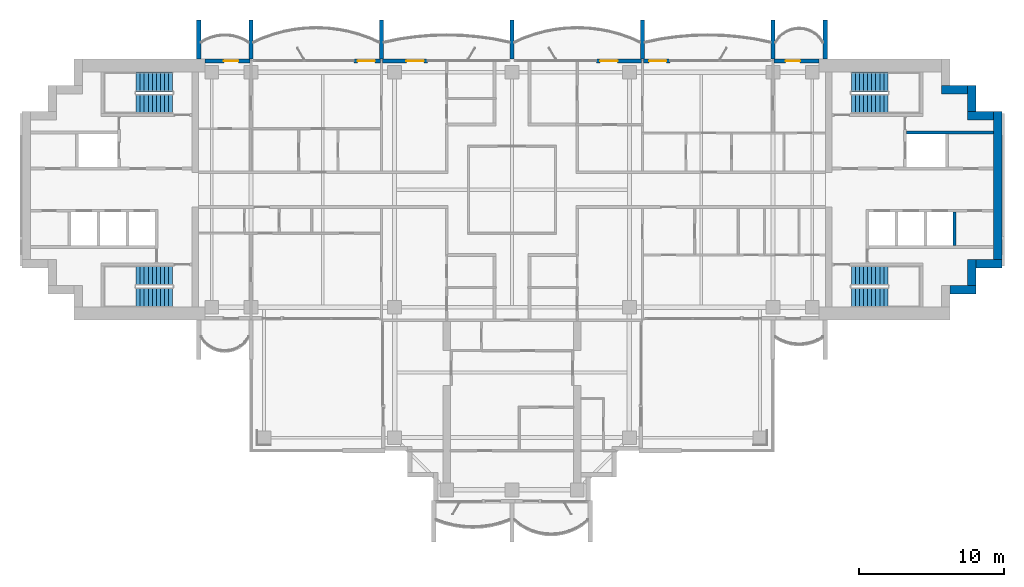
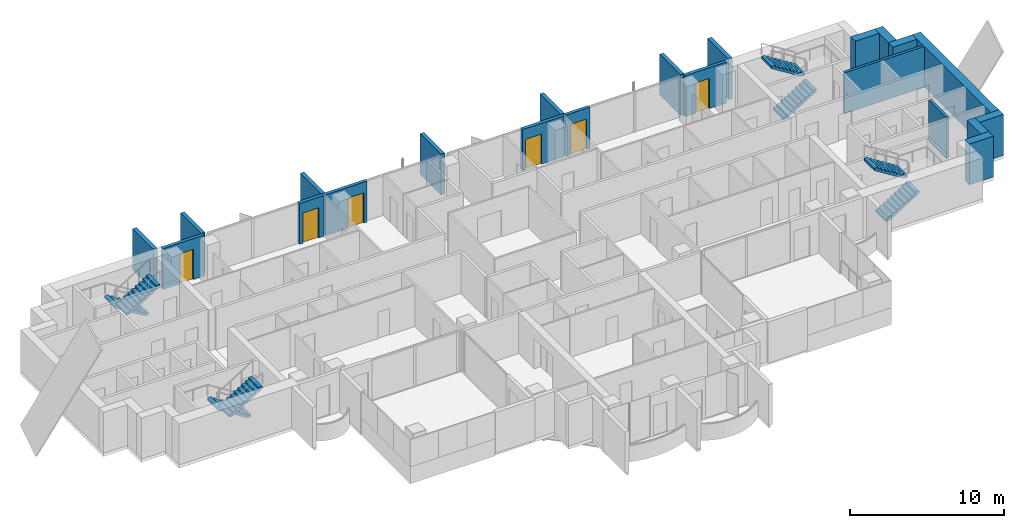
# One storey, part 13 of 17: 22 walls, 8 stair flights, 6 doors, 6 openings, 4 elements without a shape of their own.
"""IFC4 building model written with IfcOpenShell, lengths in metres."""

from ifc_helpers import new_model, si_unit, direction, frame, frame_2d, origin, place, context, subcontext, project, spatial, polyline, rectangle, outline, extrude, material, layer, layer_set, type_object, element, fill, aggregate, save


model = new_model("IFC4")

# Units and contexts
model_context = context("Model", 3, precision=1e-05, world=origin(), true_north=direction((0.0, 1.0)))
body_context = subcontext(model_context, "Body", "Model", "MODEL_VIEW")
ifc_project = project(units=[si_unit("LENGTHUNIT", "METRE"), si_unit("AREAUNIT", "SQUARE_METRE"), si_unit("VOLUMEUNIT", "CUBIC_METRE"), si_unit("PLANEANGLEUNIT", "RADIAN"), si_unit("MASSUNIT", "GRAM", prefix="KILO")], contexts=[model_context])

# Site, building, storey
site_placement = place(None, origin())
site = spatial("IfcSite", under=ifc_project, at=site_placement, CompositionType="ELEMENT")
building_placement = place(site_placement, origin())
building = spatial("IfcBuilding", under=site, at=building_placement, Name="Perihelion Cross Residences", CompositionType="ELEMENT")
storey_placement = place(building_placement, frame((0.0, 0.0, 180.60009765625)))
storey = spatial("IfcBuildingStorey", under=building, at=storey_placement, Name="L44", CompositionType="ELEMENT", Elevation=180.60009765625)

# Wall, opening, door
ifc_material_1 = material(Name="Concrete C30/37, bronze-clad", Category="concrete")
ifc_layer_1 = layer(ifc_material_1, 0.25)
ifc_layer_set_1 = layer_set([ifc_layer_1], Name="Bronze-clad pier wall 250")
wall_type_1 = type_object("IfcWallType", Name="Bronze-clad pier wall 250", PredefinedType="SOLIDWALL", material=ifc_layer_set_1)
wall_1_placement = place(storey_placement, frame((21.175048828125, 8.875, 0.0), z_axis=(0.0, 0.0, 1.0), x_axis=(-1.0, 0.0, 0.0)))
wall_1 = element("IfcWall", 1, at=wall_1_placement, inside=storey, type_object=wall_type_1, Name="Wall FW1 L44 east side north bay 1 pier", PredefinedType="SOLIDWALL", context=body_context, shape_type="SweptSolid", body=[
    extrude(rectangle(XDim=3.114990234375, YDim=0.25, at=frame_2d((1.5576171875, 0.0))), origin(), (0.0, 0.0, 1.0), 3.25),
])
opening_1_placement = place(wall_1_placement, frame((1.300048828125, 0.0, 0.0)))
opening_1 = element("IfcOpeningElement", 2, at=opening_1_placement, cuts=wall_1, Name="Opening L44.E01", PredefinedType="OPENING", context=body_context, shape_type="SweptSolid", body=[
    extrude(rectangle(XDim=1.0, YDim=2.39990234375, at=frame_2d((0.5, 1.199951171875))), frame((0.0, 0.135009765625, 0.0), z_axis=(0.0, -1.0, 0.0), x_axis=(1.0, 0.0, 0.0)), (0.0, 0.0, 1.0), 0.27001953125),
])
ifc_material_2 = material(Name="Bronze anodised aluminium, glazed", Category="aluminium")
door_type_1 = type_object("IfcDoorType", Name="Balcony door 1000 x 2400", OperationType="NOTDEFINED", PredefinedType="DOOR", material=ifc_material_2)
door_1_placement = place(opening_1_placement, origin())
door_1 = element("IfcDoor", 3, at=door_1_placement, inside=storey, type_object=door_type_1, Name="Door L44.E01 east side north bay 1", OperationType="SINGLE_SWING_LEFT", OverallHeight=2.39990234375, OverallWidth=1.0, PredefinedType="DOOR", context=body_context, shape_type="SweptSolid", body=[
    extrude(rectangle(XDim=1.0, YDim=2.39990234375, at=frame_2d((0.5, 1.199951171875))), frame((0.0, 0.02490234375, 0.0), z_axis=(0.0, -1.0, 0.0), x_axis=(1.0, 0.0, 0.0)), (0.0, 0.0, 1.0), 0.050048828125),
])
fill(opening_1, door_1)

wall_2_placement = place(storey_placement, frame((10.89990234375, 8.875, 0.0), z_axis=(0.0, 0.0, 1.0), x_axis=(-1.0, 0.0, 0.0)))
wall_2 = element("IfcWall", 4, at=wall_2_placement, inside=storey, type_object=wall_type_1, Name="Wall FW1 L44 east side north bay 2 pier", PredefinedType="SOLIDWALL", context=body_context, shape_type="SweptSolid", body=[
    extrude(rectangle(XDim=1.83984375, YDim=0.25, at=frame_2d((0.919921875, 0.0))), origin(), (0.0, 0.0, 1.0), 3.25),
])
opening_2_placement = place(wall_2_placement, frame((0.25, 0.0, 0.0)))
opening_2 = element("IfcOpeningElement", 5, at=opening_2_placement, cuts=wall_2, Name="Opening L44.E02", PredefinedType="OPENING", context=body_context, shape_type="SweptSolid", body=[
    extrude(rectangle(XDim=1.199951171875, YDim=2.39990234375, at=frame_2d((0.60009765625, 1.199951171875))), frame((0.0, 0.135009765625, 0.0), z_axis=(0.0, -1.0, 0.0), x_axis=(1.0, 0.0, 0.0)), (0.0, 0.0, 1.0), 0.27001953125),
])
ifc_material_3 = material(Name="Bronze anodised aluminium, glazed", Category="aluminium")
door_type_2 = type_object("IfcDoorType", Name="Balcony door 1200 x 2400", OperationType="NOTDEFINED", PredefinedType="DOOR", material=ifc_material_3)
door_2_placement = place(opening_2_placement, origin())
door_2 = element("IfcDoor", 6, at=door_2_placement, inside=storey, type_object=door_type_2, Name="Door L44.E02 east side north bay 2", OperationType="SINGLE_SWING_RIGHT", OverallHeight=2.39990234375, OverallWidth=1.199951171875, PredefinedType="DOOR", context=body_context, shape_type="SweptSolid", body=[
    extrude(rectangle(XDim=1.199951171875, YDim=2.39990234375, at=frame_2d((0.60009765625, 1.199951171875))), frame((0.0, 0.02490234375, 0.0), z_axis=(0.0, -1.0, 0.0), x_axis=(1.0, 0.0, 0.0)), (0.0, 0.0, 1.0), 0.050048828125),
])
fill(opening_2, door_2)

wall_3_placement = place(storey_placement, frame((8.93994140625, 8.875, 0.0), z_axis=(0.0, 0.0, 1.0), x_axis=(-1.0, 0.0, 0.0)))
wall_3 = element("IfcWall", 7, at=wall_3_placement, inside=storey, type_object=wall_type_1, Name="Wall FW1 L44 north side east bay 1 pier", PredefinedType="SOLIDWALL", context=body_context, shape_type="SweptSolid", body=[
    extrude(rectangle(XDim=3.114990234375, YDim=0.25, at=frame_2d((1.5576171875, 0.0))), origin(), (0.0, 0.0, 1.0), 3.25),
])
opening_3_placement = place(wall_3_placement, frame((1.6650390625, 0.0, 0.0)))
opening_3 = element("IfcOpeningElement", 8, at=opening_3_placement, cuts=wall_3, Name="Opening L44.E03", PredefinedType="OPENING", context=body_context, shape_type="SweptSolid", body=[
    extrude(rectangle(XDim=1.199951171875, YDim=2.39990234375, at=frame_2d((0.60009765625, 1.199951171875))), frame((0.0, 0.135009765625, 0.0), z_axis=(0.0, -1.0, 0.0), x_axis=(1.0, 0.0, 0.0)), (0.0, 0.0, 1.0), 0.27001953125),
])
door_3_placement = place(opening_3_placement, origin())
door_3 = element("IfcDoor", 9, at=door_3_placement, inside=storey, type_object=door_type_2, Name="Door L44.E03 north side east bay 1", OperationType="SINGLE_SWING_LEFT", OverallHeight=2.39990234375, OverallWidth=1.199951171875, PredefinedType="DOOR", context=body_context, shape_type="SweptSolid", body=[
    extrude(rectangle(XDim=1.199951171875, YDim=2.39990234375, at=frame_2d((0.60009765625, 1.199951171875))), frame((0.0, 0.02490234375, 0.0), z_axis=(0.0, -1.0, 0.0), x_axis=(1.0, 0.0, 0.0)), (0.0, 0.0, 1.0), 0.050048828125),
])
fill(opening_3, door_3)

wall_4_placement = place(storey_placement, frame((-5.824951171875, 8.875, 0.0), z_axis=(0.0, 0.0, 1.0), x_axis=(-1.0, 0.0, 0.0)))
wall_4 = element("IfcWall", 10, at=wall_4_placement, inside=storey, type_object=wall_type_1, Name="Wall FW1 L44 north side east bay 2 pier", PredefinedType="SOLIDWALL", context=body_context, shape_type="SweptSolid", body=[
    extrude(rectangle(XDim=3.114990234375, YDim=0.25, at=frame_2d((1.5576171875, 0.0))), origin(), (0.0, 0.0, 1.0), 3.25),
])
opening_4_placement = place(wall_4_placement, frame((0.25, 0.0, 0.0)))
opening_4 = element("IfcOpeningElement", 11, at=opening_4_placement, cuts=wall_4, Name="Opening L44.E04", PredefinedType="OPENING", context=body_context, shape_type="SweptSolid", body=[
    extrude(rectangle(XDim=1.199951171875, YDim=2.39990234375, at=frame_2d((0.60009765625, 1.199951171875))), frame((0.0, 0.135009765625, 0.0), z_axis=(0.0, -1.0, 0.0), x_axis=(1.0, 0.0, 0.0)), (0.0, 0.0, 1.0), 0.27001953125),
])
door_4_placement = place(opening_4_placement, origin())
door_4 = element("IfcDoor", 12, at=door_4_placement, inside=storey, type_object=door_type_2, Name="Door L44.E04 north side east bay 2", OperationType="SINGLE_SWING_RIGHT", OverallHeight=2.39990234375, OverallWidth=1.199951171875, PredefinedType="DOOR", context=body_context, shape_type="SweptSolid", body=[
    extrude(rectangle(XDim=1.199951171875, YDim=2.39990234375, at=frame_2d((0.60009765625, 1.199951171875))), frame((0.0, 0.02490234375, 0.0), z_axis=(0.0, -1.0, 0.0), x_axis=(1.0, 0.0, 0.0)), (0.0, 0.0, 1.0), 0.050048828125),
])
fill(opening_4, door_4)

wall_5_placement = place(storey_placement, frame((-9.06005859375, 8.875, 0.0), z_axis=(0.0, 0.0, 1.0), x_axis=(-1.0, 0.0, 0.0)))
wall_5 = element("IfcWall", 13, at=wall_5_placement, inside=storey, type_object=wall_type_1, Name="Wall FW1 L44 west side north bay 1 pier", PredefinedType="SOLIDWALL", context=body_context, shape_type="SweptSolid", body=[
    extrude(rectangle(XDim=1.83984375, YDim=0.25, at=frame_2d((0.919921875, 0.0))), origin(), (0.0, 0.0, 1.0), 3.25),
])
opening_5_placement = place(wall_5_placement, frame((0.389892578125, 0.0, 0.0)))
opening_5 = element("IfcOpeningElement", 14, at=opening_5_placement, cuts=wall_5, Name="Opening L44.E05", PredefinedType="OPENING", context=body_context, shape_type="SweptSolid", body=[
    extrude(rectangle(XDim=1.199951171875, YDim=2.39990234375, at=frame_2d((0.60009765625, 1.199951171875))), frame((0.0, 0.135009765625, 0.0), z_axis=(0.0, -1.0, 0.0), x_axis=(1.0, 0.0, 0.0)), (0.0, 0.0, 1.0), 0.27001953125),
])
door_5_placement = place(opening_5_placement, origin())
door_5 = element("IfcDoor", 15, at=door_5_placement, inside=storey, type_object=door_type_2, Name="Door L44.E05 west side north bay 1", OperationType="SINGLE_SWING_LEFT", OverallHeight=2.39990234375, OverallWidth=1.199951171875, PredefinedType="DOOR", context=body_context, shape_type="SweptSolid", body=[
    extrude(rectangle(XDim=1.199951171875, YDim=2.39990234375, at=frame_2d((0.60009765625, 1.199951171875))), frame((0.0, 0.02490234375, 0.0), z_axis=(0.0, -1.0, 0.0), x_axis=(1.0, 0.0, 0.0)), (0.0, 0.0, 1.0), 0.050048828125),
])
fill(opening_5, door_5)

wall_6_placement = place(storey_placement, frame((-18.06005859375, 8.875, 0.0), z_axis=(0.0, 0.0, 1.0), x_axis=(-1.0, 0.0, 0.0)))
wall_6 = element("IfcWall", 16, at=wall_6_placement, inside=storey, type_object=wall_type_1, Name="Wall FW1 L44 west side north bay 2 pier", PredefinedType="SOLIDWALL", context=body_context, shape_type="SweptSolid", body=[
    extrude(rectangle(XDim=3.114990234375, YDim=0.25, at=frame_2d((1.5576171875, 0.0))), origin(), (0.0, 0.0, 1.0), 3.25),
])
opening_6_placement = place(wall_6_placement, frame((0.81494140625, 0.0, 0.0)))
opening_6 = element("IfcOpeningElement", 17, at=opening_6_placement, cuts=wall_6, Name="Opening L44.E06", PredefinedType="OPENING", context=body_context, shape_type="SweptSolid", body=[
    extrude(rectangle(XDim=1.0, YDim=2.39990234375, at=frame_2d((0.5, 1.199951171875))), frame((0.0, 0.135009765625, 0.0), z_axis=(0.0, -1.0, 0.0), x_axis=(1.0, 0.0, 0.0)), (0.0, 0.0, 1.0), 0.27001953125),
])
door_6_placement = place(opening_6_placement, origin())
door_6 = element("IfcDoor", 18, at=door_6_placement, inside=storey, type_object=door_type_1, Name="Door L44.E06 west side north bay 2", OperationType="SINGLE_SWING_RIGHT", OverallHeight=2.39990234375, OverallWidth=1.0, PredefinedType="DOOR", context=body_context, shape_type="SweptSolid", body=[
    extrude(rectangle(XDim=1.0, YDim=2.39990234375, at=frame_2d((0.5, 1.199951171875))), frame((0.0, 0.02490234375, 0.0), z_axis=(0.0, -1.0, 0.0), x_axis=(1.0, 0.0, 0.0)), (0.0, 0.0, 1.0), 0.050048828125),
])
fill(opening_6, door_6)

# Walls
ifc_material_4 = material(Name="Concrete C60/75", Category="concrete")
ifc_layer_2 = layer(ifc_material_4, 0.60009765625)
ifc_layer_set_2 = layer_set([ifc_layer_2], Name="Core wall, outer 600")
wall_type_2 = type_object("IfcWallType", Name="Core wall, outer 600", PredefinedType="SHEAR", material=ifc_layer_set_2)
for number, where, z_axis, x_axis, name in (
    (19, (30.199951171875, -6.89990234375, 0.0), (0.0, 0.0, 1.0), (1.0, 0.0, 0.0), "East core core wall, outer"),
    (20, (31.699951171875, -6.60009765625, 0.0), (0.0, 0.0, 1.0), (0.0, 1.0, 0.0), "East core core wall, outer"),
    (21, (32.0, -5.10009765625, 0.0), (0.0, 0.0, 1.0), (1.0, 0.0, 0.0), "East core core wall, outer"),
):
    element("IfcWall", number, at=place(storey_placement, frame(where, z_axis=z_axis, x_axis=x_axis)), inside=storey, type_object=wall_type_2, Name=name, PredefinedType="SHEAR", context=body_context, shape_type="SweptSolid", body=[
        extrude(rectangle(XDim=1.800048828125, YDim=0.60009765625, at=frame_2d((0.89990234375, 0.0))), origin(), (0.0, 0.0, 1.0), 3.25),
    ])
wall_7_placement = place(storey_placement, frame((33.5, -4.800048828125, 0.0), z_axis=(0.0, 0.0, 1.0), x_axis=(0.0, 1.0, 0.0)))
element("IfcWall", 22, at=wall_7_placement, inside=storey, type_object=wall_type_2, Name="East core core wall, outer", PredefinedType="SHEAR", context=body_context, shape_type="SweptSolid", body=[
    extrude(rectangle(XDim=10.199951171875, YDim=0.60009765625, at=frame_2d((5.10009765625, 0.0))), origin(), (0.0, 0.0, 1.0), 3.25),
])
for number, where, z_axis, x_axis, name in (
    (23, (31.39990234375, 5.10009765625, 0.0), (0.0, 0.0, 1.0), (1.0, 0.0, 0.0), "East core core wall, outer"),
    (24, (31.699951171875, 5.39990234375, 0.0), (0.0, 0.0, 1.0), (0.0, 1.0, 0.0), "East core core wall, outer"),
):
    element("IfcWall", number, at=place(storey_placement, frame(where, z_axis=z_axis, x_axis=x_axis)), inside=storey, type_object=wall_type_2, Name=name, PredefinedType="SHEAR", context=body_context, shape_type="SweptSolid", body=[
        extrude(rectangle(XDim=1.800048828125, YDim=0.60009765625, at=frame_2d((0.89990234375, 0.0))), origin(), (0.0, 0.0, 1.0), 3.25),
    ])
wall_8_placement = place(storey_placement, frame((29.60009765625, 6.89990234375, 0.0), z_axis=(0.0, 0.0, 1.0), x_axis=(1.0, 0.0, 0.0)))
element("IfcWall", 25, at=wall_8_placement, inside=storey, type_object=wall_type_2, Name="East core core wall, outer", PredefinedType="SHEAR", context=body_context, shape_type="SweptSolid", body=[
    extrude(rectangle(XDim=1.7998046875, YDim=0.60009765625, at=frame_2d((0.89990234375, 0.0))), origin(), (0.0, 0.0, 1.0), 3.25),
])
ifc_material_5 = material(Name="Precast concrete C50/60", Category="concrete")
ifc_layer_3 = layer(ifc_material_5, 0.300048828125)
ifc_layer_set_3 = layer_set([ifc_layer_3], Name="Precast concrete C50/60 blade wall 300")
wall_type_3 = type_object("IfcWallType", Name="Precast concrete C50/60 blade wall 300", PredefinedType="SOLIDWALL", material=ifc_layer_set_3)
for number, where, z_axis, x_axis, name in (
    (26, (-21.60009765625, 9.0, 0.0), (0.0, 0.0, 1.0), (0.0, 1.0, 0.0), "Wall BL1 L44 no. 4"),
    (27, (-18.0, 9.0, 0.0), (0.0, 0.0, 1.0), (0.0, 1.0, 0.0), "Wall BL1 L44 no. 2"),
    (28, (-9.0, 9.0, 0.0), (0.0, 0.0, 1.0), (0.0, 1.0, 0.0), "Wall BL1 L44 no. 7"),
    (29, (0.0, 9.0, 0.0), (0.0, 0.0, 1.0), (0.0, 1.0, 0.0), "Wall BL1 L44 no. 9"),
    (30, (9.0, 9.0, 0.0), (0.0, 0.0, 1.0), (0.0, 1.0, 0.0), "Wall BL1 L44 no. 16"),
    (31, (18.0, 9.0, 0.0), (0.0, 0.0, 1.0), (0.0, 1.0, 0.0), "Wall BL1 L44 no. 11"),
    (32, (21.60009765625, 9.0, 0.0), (0.0, 0.0, 1.0), (0.0, 1.0, 0.0), "Wall BL1 L44 no. 13"),
):
    element("IfcWall", number, at=place(storey_placement, frame(where, z_axis=z_axis, x_axis=x_axis)), inside=storey, type_object=wall_type_3, Name=name, PredefinedType="SOLIDWALL", context=body_context, shape_type="SweptSolid", body=[
        extrude(rectangle(XDim=2.699951171875, YDim=0.300048828125, at=frame_2d((1.35009765625, 0.0))), origin(), (0.0, 0.0, 1.0), 3.25),
    ])
ifc_material_6 = material(Name="Concrete C50/60", Category="concrete")
ifc_layer_4 = layer(ifc_material_6, 0.199951171875)
ifc_layer_set_4 = layer_set([ifc_layer_4], Name="Shaft wall 200")
wall_type_4 = type_object("IfcWallType", Name="Shaft wall 200", PredefinedType="SOLIDWALL", material=ifc_layer_set_4)
wall_9_placement = place(storey_placement, frame((27.199951171875, 3.949951171875, 0.0), z_axis=(0.0, 0.0, 1.0), x_axis=(1.0, 0.0, 0.0)))
element("IfcWall", 33, at=wall_9_placement, inside=storey, type_object=wall_type_4, Name="East core shaft wall", PredefinedType="SOLIDWALL", context=body_context, shape_type="SweptSolid", body=[
    extrude(rectangle(XDim=6.0, YDim=0.199951171875, at=frame_2d((3.0, 0.0))), origin(), (0.0, 0.0, 1.0), 3.25),
])
wall_10_placement = place(storey_placement, frame((30.5, -3.85009765625, 0.0), z_axis=(0.0, 0.0, 1.0), x_axis=(0.0, 1.0, 0.0)))
element("IfcWall", 34, at=wall_10_placement, inside=storey, type_object=wall_type_4, Name="East core shaft wall", PredefinedType="SOLIDWALL", context=body_context, shape_type="SweptSolid", body=[
    extrude(rectangle(XDim=2.300048828125, YDim=0.199951171875, at=frame_2d((1.14990234375, 0.0))), origin(), (0.0, 0.0, 1.0), 3.25),
])

# Stair, stair flights
ifc_material_7 = material(Name="Concrete C40/50", Category="concrete")
stair_type = type_object("IfcStairType", Name="Exit stair, half-turn", PredefinedType="HALF_TURN_STAIR", material=ifc_material_7)
stair_1_placement = place(storey_placement, origin())
stair_1 = element("IfcStair", 35, at=stair_1_placement, inside=storey, type_object=stair_type, Name="L44 East core exit stair 1", PredefinedType="HALF_TURN_STAIR")
ifc_material_8 = material(Name="Concrete C40/50", Category="concrete")
stair_flight_type = type_object("IfcStairFlightType", Name="Exit stair flight", PredefinedType="STRAIGHT", material=ifc_material_8)
stair_flight_1_placement = place(storey_placement, frame((23.39990234375, 5.925048828125, 0.0), z_axis=(0.0, 0.0, 1.0), x_axis=(1.0, 0.0, 0.0)))
stair_flight_1 = element("IfcStairFlight", 36, at=stair_flight_1_placement, type_object=stair_flight_type, Name="ST-E1 flight 1", NumberOfRisers=10, NumberOfTreads=9, PredefinedType="STRAIGHT", RiserHeight=0.175, TreadLength=0.28, context=body_context, shape_type="SweptSolid", body=[
    extrude(outline(polyline([(0.0, 0.0), (0.0, 0.175048828125), (0.280029296875, 0.175048828125), (0.280029296875, 0.35009765625), (0.56005859375, 0.35009765625), (0.56005859375, 0.52490234375), (0.840087890625, 0.52490234375), (0.840087890625, 0.699951171875), (1.1201171875, 0.699951171875), (1.1201171875, 0.875), (1.39990234375, 0.875), (1.39990234375, 1.050048828125), (1.679931640625, 1.050048828125), (1.679931640625, 1.22509765625), (1.9599609375, 1.22509765625), (1.9599609375, 1.39990234375), (2.239990234375, 1.39990234375), (2.239990234375, 1.574951171875), (2.52001953125, 1.574951171875), (2.52001953125, 1.75), (2.52001953125, 1.398193359375), (0.28271484375, 0.0), (0.0, 0.0)])), frame((0.0, 0.675048828125, 0.0), z_axis=(0.0, -1.0, 0.0), x_axis=(1.0, 0.0, 0.0)), (0.0, 0.0, 1.0), 1.35009765625),
])
stair_flight_2_placement = place(storey_placement, frame((25.919921875, 7.425048828125, 1.75), z_axis=(0.0, 0.0, 1.0), x_axis=(-1.0, 0.0, 0.0)))
stair_flight_2 = element("IfcStairFlight", 37, at=stair_flight_2_placement, type_object=stair_flight_type, Name="ST-E1 flight 2", NumberOfRisers=10, NumberOfTreads=9, PredefinedType="STRAIGHT", RiserHeight=0.175, TreadLength=0.28, context=body_context, shape_type="SweptSolid", body=[
    extrude(outline(polyline([(0.0, 0.0), (0.0, 0.175048828125), (0.280029296875, 0.175048828125), (0.280029296875, 0.35009765625), (0.56005859375, 0.35009765625), (0.56005859375, 0.52490234375), (0.840087890625, 0.52490234375), (0.840087890625, 0.699951171875), (1.1201171875, 0.699951171875), (1.1201171875, 0.875), (1.39990234375, 0.875), (1.39990234375, 1.050048828125), (1.679931640625, 1.050048828125), (1.679931640625, 1.22509765625), (1.9599609375, 1.22509765625), (1.9599609375, 1.39990234375), (2.239990234375, 1.39990234375), (2.239990234375, 1.574951171875), (2.52001953125, 1.574951171875), (2.52001953125, 1.75), (2.52001953125, 1.398193359375), (0.28271484375, 0.0), (0.0, 0.0)])), frame((0.0, 0.675048828125, 0.0), z_axis=(0.0, -1.0, 0.0), x_axis=(1.0, 0.0, 0.0)), (0.0, 0.0, 1.0), 1.35009765625),
])
aggregate(stair_1, [stair_flight_1, stair_flight_2])

stair_2_placement = place(storey_placement, origin())
stair_2 = element("IfcStair", 38, at=stair_2_placement, inside=storey, type_object=stair_type, Name="L44 East core exit stair 2", PredefinedType="HALF_TURN_STAIR")
stair_flight_3_placement = place(storey_placement, frame((23.39990234375, -7.425048828125, 0.0), z_axis=(0.0, 0.0, 1.0), x_axis=(1.0, 0.0, 0.0)))
stair_flight_3 = element("IfcStairFlight", 39, at=stair_flight_3_placement, type_object=stair_flight_type, Name="ST-E2 flight 1", NumberOfRisers=10, NumberOfTreads=9, PredefinedType="STRAIGHT", RiserHeight=0.175, TreadLength=0.28, context=body_context, shape_type="SweptSolid", body=[
    extrude(outline(polyline([(0.0, 0.0), (0.0, 0.175048828125), (0.280029296875, 0.175048828125), (0.280029296875, 0.35009765625), (0.56005859375, 0.35009765625), (0.56005859375, 0.52490234375), (0.840087890625, 0.52490234375), (0.840087890625, 0.699951171875), (1.1201171875, 0.699951171875), (1.1201171875, 0.875), (1.39990234375, 0.875), (1.39990234375, 1.050048828125), (1.679931640625, 1.050048828125), (1.679931640625, 1.22509765625), (1.9599609375, 1.22509765625), (1.9599609375, 1.39990234375), (2.239990234375, 1.39990234375), (2.239990234375, 1.574951171875), (2.52001953125, 1.574951171875), (2.52001953125, 1.75), (2.52001953125, 1.398193359375), (0.28271484375, 0.0), (0.0, 0.0)])), frame((0.0, 0.675048828125, 0.0), z_axis=(0.0, -1.0, 0.0), x_axis=(1.0, 0.0, 0.0)), (0.0, 0.0, 1.0), 1.35009765625),
])
stair_flight_4_placement = place(storey_placement, frame((25.919921875, -5.925048828125, 1.75), z_axis=(0.0, 0.0, 1.0), x_axis=(-1.0, 0.0, 0.0)))
stair_flight_4 = element("IfcStairFlight", 40, at=stair_flight_4_placement, type_object=stair_flight_type, Name="ST-E2 flight 2", NumberOfRisers=10, NumberOfTreads=9, PredefinedType="STRAIGHT", RiserHeight=0.175, TreadLength=0.28, context=body_context, shape_type="SweptSolid", body=[
    extrude(outline(polyline([(0.0, 0.0), (0.0, 0.175048828125), (0.280029296875, 0.175048828125), (0.280029296875, 0.35009765625), (0.56005859375, 0.35009765625), (0.56005859375, 0.52490234375), (0.840087890625, 0.52490234375), (0.840087890625, 0.699951171875), (1.1201171875, 0.699951171875), (1.1201171875, 0.875), (1.39990234375, 0.875), (1.39990234375, 1.050048828125), (1.679931640625, 1.050048828125), (1.679931640625, 1.22509765625), (1.9599609375, 1.22509765625), (1.9599609375, 1.39990234375), (2.239990234375, 1.39990234375), (2.239990234375, 1.574951171875), (2.52001953125, 1.574951171875), (2.52001953125, 1.75), (2.52001953125, 1.398193359375), (0.28271484375, 0.0), (0.0, 0.0)])), frame((0.0, 0.675048828125, 0.0), z_axis=(0.0, -1.0, 0.0), x_axis=(1.0, 0.0, 0.0)), (0.0, 0.0, 1.0), 1.35009765625),
])
aggregate(stair_2, [stair_flight_3, stair_flight_4])

stair_3_placement = place(storey_placement, origin())
stair_3 = element("IfcStair", 41, at=stair_3_placement, inside=storey, type_object=stair_type, Name="L44 West core exit stair 1", PredefinedType="HALF_TURN_STAIR")
stair_flight_5_placement = place(storey_placement, frame((-23.39990234375, 7.425048828125, 0.0), z_axis=(0.0, 0.0, 1.0), x_axis=(-1.0, 0.0, 0.0)))
stair_flight_5 = element("IfcStairFlight", 42, at=stair_flight_5_placement, type_object=stair_flight_type, Name="ST-W1 flight 1", NumberOfRisers=10, NumberOfTreads=9, PredefinedType="STRAIGHT", RiserHeight=0.175, TreadLength=0.28, context=body_context, shape_type="SweptSolid", body=[
    extrude(outline(polyline([(0.0, 0.0), (0.0, 0.175048828125), (0.280029296875, 0.175048828125), (0.280029296875, 0.35009765625), (0.56005859375, 0.35009765625), (0.56005859375, 0.52490234375), (0.840087890625, 0.52490234375), (0.840087890625, 0.699951171875), (1.1201171875, 0.699951171875), (1.1201171875, 0.875), (1.39990234375, 0.875), (1.39990234375, 1.050048828125), (1.679931640625, 1.050048828125), (1.679931640625, 1.22509765625), (1.9599609375, 1.22509765625), (1.9599609375, 1.39990234375), (2.239990234375, 1.39990234375), (2.239990234375, 1.574951171875), (2.52001953125, 1.574951171875), (2.52001953125, 1.75), (2.52001953125, 1.398193359375), (0.28271484375, 0.0), (0.0, 0.0)])), frame((0.0, 0.675048828125, 0.0), z_axis=(0.0, -1.0, 0.0), x_axis=(1.0, 0.0, 0.0)), (0.0, 0.0, 1.0), 1.35009765625),
])
stair_flight_6_placement = place(storey_placement, frame((-25.919921875, 5.925048828125, 1.75), z_axis=(0.0, 0.0, 1.0), x_axis=(1.0, 0.0, 0.0)))
stair_flight_6 = element("IfcStairFlight", 43, at=stair_flight_6_placement, type_object=stair_flight_type, Name="ST-W1 flight 2", NumberOfRisers=10, NumberOfTreads=9, PredefinedType="STRAIGHT", RiserHeight=0.175, TreadLength=0.28, context=body_context, shape_type="SweptSolid", body=[
    extrude(outline(polyline([(0.0, 0.0), (0.0, 0.175048828125), (0.280029296875, 0.175048828125), (0.280029296875, 0.35009765625), (0.56005859375, 0.35009765625), (0.56005859375, 0.52490234375), (0.840087890625, 0.52490234375), (0.840087890625, 0.699951171875), (1.1201171875, 0.699951171875), (1.1201171875, 0.875), (1.39990234375, 0.875), (1.39990234375, 1.050048828125), (1.679931640625, 1.050048828125), (1.679931640625, 1.22509765625), (1.9599609375, 1.22509765625), (1.9599609375, 1.39990234375), (2.239990234375, 1.39990234375), (2.239990234375, 1.574951171875), (2.52001953125, 1.574951171875), (2.52001953125, 1.75), (2.52001953125, 1.398193359375), (0.28271484375, 0.0), (0.0, 0.0)])), frame((0.0, 0.675048828125, 0.0), z_axis=(0.0, -1.0, 0.0), x_axis=(1.0, 0.0, 0.0)), (0.0, 0.0, 1.0), 1.35009765625),
])
aggregate(stair_3, [stair_flight_5, stair_flight_6])

stair_4_placement = place(storey_placement, origin())
stair_4 = element("IfcStair", 44, at=stair_4_placement, inside=storey, type_object=stair_type, Name="L44 West core exit stair 2", PredefinedType="HALF_TURN_STAIR")
stair_flight_7_placement = place(storey_placement, frame((-23.39990234375, -5.925048828125, 0.0), z_axis=(0.0, 0.0, 1.0), x_axis=(-1.0, 0.0, 0.0)))
stair_flight_7 = element("IfcStairFlight", 45, at=stair_flight_7_placement, type_object=stair_flight_type, Name="ST-W2 flight 1", NumberOfRisers=10, NumberOfTreads=9, PredefinedType="STRAIGHT", RiserHeight=0.175, TreadLength=0.28, context=body_context, shape_type="SweptSolid", body=[
    extrude(outline(polyline([(0.0, 0.0), (0.0, 0.175048828125), (0.280029296875, 0.175048828125), (0.280029296875, 0.35009765625), (0.56005859375, 0.35009765625), (0.56005859375, 0.52490234375), (0.840087890625, 0.52490234375), (0.840087890625, 0.699951171875), (1.1201171875, 0.699951171875), (1.1201171875, 0.875), (1.39990234375, 0.875), (1.39990234375, 1.050048828125), (1.679931640625, 1.050048828125), (1.679931640625, 1.22509765625), (1.9599609375, 1.22509765625), (1.9599609375, 1.39990234375), (2.239990234375, 1.39990234375), (2.239990234375, 1.574951171875), (2.52001953125, 1.574951171875), (2.52001953125, 1.75), (2.52001953125, 1.398193359375), (0.28271484375, 0.0), (0.0, 0.0)])), frame((0.0, 0.675048828125, 0.0), z_axis=(0.0, -1.0, 0.0), x_axis=(1.0, 0.0, 0.0)), (0.0, 0.0, 1.0), 1.35009765625),
])
stair_flight_8_placement = place(storey_placement, frame((-25.919921875, -7.425048828125, 1.75), z_axis=(0.0, 0.0, 1.0), x_axis=(1.0, 0.0, 0.0)))
stair_flight_8 = element("IfcStairFlight", 46, at=stair_flight_8_placement, type_object=stair_flight_type, Name="ST-W2 flight 2", NumberOfRisers=10, NumberOfTreads=9, PredefinedType="STRAIGHT", RiserHeight=0.175, TreadLength=0.28, context=body_context, shape_type="SweptSolid", body=[
    extrude(outline(polyline([(0.0, 0.0), (0.0, 0.175048828125), (0.280029296875, 0.175048828125), (0.280029296875, 0.35009765625), (0.56005859375, 0.35009765625), (0.56005859375, 0.52490234375), (0.840087890625, 0.52490234375), (0.840087890625, 0.699951171875), (1.1201171875, 0.699951171875), (1.1201171875, 0.875), (1.39990234375, 0.875), (1.39990234375, 1.050048828125), (1.679931640625, 1.050048828125), (1.679931640625, 1.22509765625), (1.9599609375, 1.22509765625), (1.9599609375, 1.39990234375), (2.239990234375, 1.39990234375), (2.239990234375, 1.574951171875), (2.52001953125, 1.574951171875), (2.52001953125, 1.75), (2.52001953125, 1.398193359375), (0.28271484375, 0.0), (0.0, 0.0)])), frame((0.0, 0.675048828125, 0.0), z_axis=(0.0, -1.0, 0.0), x_axis=(1.0, 0.0, 0.0)), (0.0, 0.0, 1.0), 1.35009765625),
])
aggregate(stair_4, [stair_flight_7, stair_flight_8])

save(model, "model.ifc")
